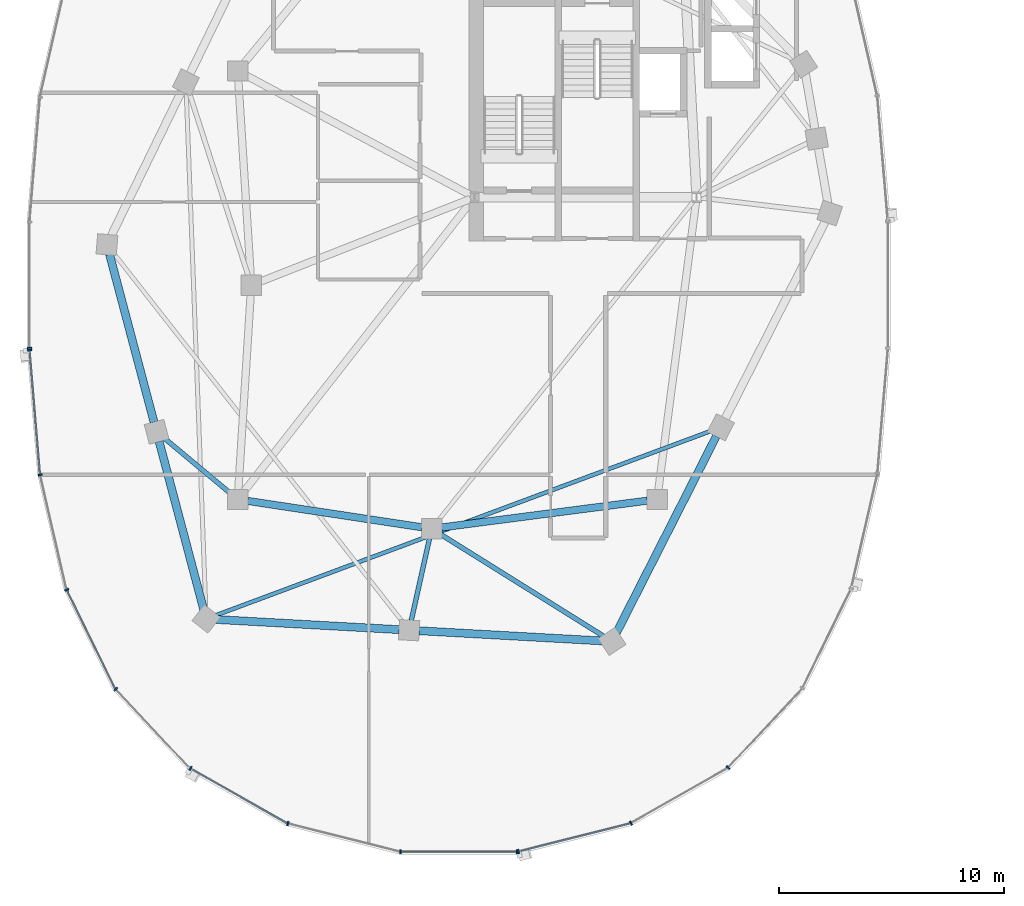
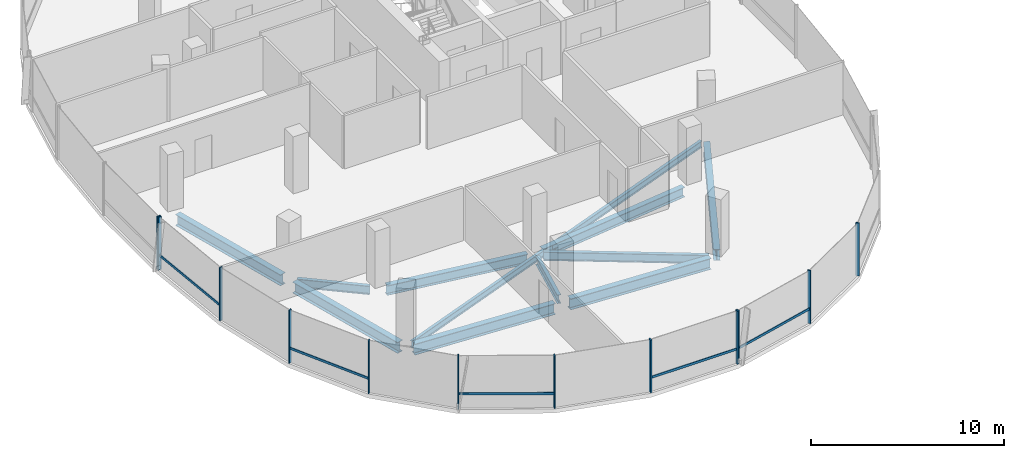
# One storey, part 3 of 25: 17 members, 11 beams, 3 elements without a shape of their own.
"""IFC4 building model written with IfcOpenShell, lengths in metres."""

from ifc_helpers import new_model, si_unit, direction, frame, origin, origin_2d, place, context, subcontext, project, spatial, rectangle, i_section, extrude, material, material_profile, profile_set, type_object, element, aggregate, save


model = new_model("IFC4")

# Units and contexts
model_context = context("Model", 3, precision=1e-05, world=origin(), true_north=direction((0.0, 1.0)))
body_context = subcontext(model_context, "Body", "Model", "MODEL_VIEW")
ifc_project = project(units=[si_unit("LENGTHUNIT", "METRE"), si_unit("AREAUNIT", "SQUARE_METRE"), si_unit("VOLUMEUNIT", "CUBIC_METRE"), si_unit("PLANEANGLEUNIT", "RADIAN"), si_unit("MASSUNIT", "GRAM", prefix="KILO"), si_unit("THERMODYNAMICTEMPERATUREUNIT", "KELVIN"), si_unit("POWERUNIT", "WATT")], contexts=[model_context])

# Site, building, storey
site_placement = place(None, origin())
site = spatial("IfcSite", under=ifc_project, at=site_placement, CompositionType="ELEMENT")
building_placement = place(site_placement, origin())
building = spatial("IfcBuilding", under=site, at=building_placement, Name="Cundina Bronze Exchange", CompositionType="ELEMENT")
storey_placement = place(building_placement, frame((0.0, 0.0, 202.60009765625)))
storey = spatial("IfcBuildingStorey", under=building, at=storey_placement, Name="L53", CompositionType="ELEMENT", Elevation=202.60009765625)

# Beams
ifc_material_1 = material(Name="Steel ASTM A992 Grade 50", Category="steel")
ifc_material_profile_1 = material_profile(ifc_material_1, i_section(OverallWidth=0.2119140625, OverallDepth=0.5439453125, WebThickness=0.01318359375, FlangeThickness=0.021240234375, FilletRadius=0.013916015625, at=origin_2d()), Name="W21X83", Category="steel")
ifc_profile_set_1 = profile_set([ifc_material_profile_1], Name="Steel ASTM A992 Grade 50")
beam_type_1 = type_object("IfcBeamType", Name="BM-FLR-W21A", PredefinedType="BEAM", material=ifc_profile_set_1)
beam_1_placement = place(storey_placement, frame((-42.136474609375, -9.219482421875, -0.531982421875), z_axis=(-0.768247540987, 0.640152884683, 0.0), x_axis=(-0.640152884683, -0.768247540987, 0.0)))
element("IfcBeam", 1, at=beam_1_placement, inside=storey, type_object=beam_type_1, Name="L53 Leg W Radial Floor Beam 09", PredefinedType="BEAM", context=body_context, shape_type="SweptSolid", body=[
    extrude(i_section(OverallWidth=0.2119140625, OverallDepth=0.5439453125, WebThickness=0.01318359375, FlangeThickness=0.021240234375, FilletRadius=0.013916015625, at=origin_2d()), origin(), (0.0, 0.0, 1.0), 3.81005859375),
])
beam_2_placement = place(storey_placement, frame((-33.294921875, -11.2275390625, -0.531982421875), z_axis=(-0.216958151571, -0.976180905605, 0.0), x_axis=(0.976180905605, -0.216958151571, 0.0)))
element("IfcBeam", 2, at=beam_2_placement, inside=storey, type_object=beam_type_1, Name="L53 Leg W Radial Floor Beam 11", PredefinedType="BEAM", context=body_context, shape_type="SweptSolid", body=[
    extrude(i_section(OverallWidth=0.2119140625, OverallDepth=0.5439453125, WebThickness=0.01318359375, FlangeThickness=0.021240234375, FilletRadius=0.013916015625, at=origin_2d()), origin(), (0.0, 0.0, 1.0), 3.733642578125),
])
beam_3_placement = place(storey_placement, frame((-32.82861328125, -11.031982421875, -0.531982421875), z_axis=(0.847995098703, -0.530004068452, 0.0), x_axis=(0.530004068452, 0.847995098703, 0.0)))
element("IfcBeam", 3, at=beam_3_placement, inside=storey, type_object=beam_type_1, Name="L53 Leg W Radial Floor Beam 12", PredefinedType="BEAM", context=body_context, shape_type="SweptSolid", body=[
    extrude(i_section(OverallWidth=0.2119140625, OverallDepth=0.5439453125, WebThickness=0.01318359375, FlangeThickness=0.021240234375, FilletRadius=0.013916015625, at=origin_2d()), origin(), (0.0, 0.0, 1.0), 8.55810546875),
])
ifc_material_profile_2 = material_profile(ifc_material_1, i_section(OverallWidth=0.178955078125, OverallDepth=0.409912109375, WebThickness=0.0087890625, FlangeThickness=0.014404296875, FilletRadius=0.010986328125, at=origin_2d()), Name="W16X45", Category="steel")
ifc_profile_set_2 = profile_set([ifc_material_profile_2], Name="Steel ASTM A992 Grade 50")
beam_type_2 = type_object("IfcBeamType", Name="BM-JST-W16", PredefinedType="JOIST", material=ifc_profile_set_2)
beam_4_placement = place(storey_placement, frame((-42.78955078125, -14.647216796875, -0.465087890625), z_axis=(0.937127927239, 0.348986028358, 0.0), x_axis=(-0.348986028358, 0.937127927239, 0.0)))
element("IfcBeam", 4, at=beam_4_placement, inside=storey, type_object=beam_type_2, Name="L53 Leg W Lobe Floor Joist 10-13", PredefinedType="JOIST", context=body_context, shape_type="SweptSolid", body=[
    extrude(i_section(OverallWidth=0.178955078125, OverallDepth=0.409912109375, WebThickness=0.0087890625, FlangeThickness=0.014404296875, FilletRadius=0.010986328125, at=origin_2d()), origin(), (0.0, 0.0, 1.0), 23.48046875),
])
ifc_material_profile_3 = material_profile(ifc_material_1, i_section(OverallWidth=0.324951171875, OverallDepth=0.615966796875, WebThickness=0.013916015625, FlangeThickness=0.021484375, FilletRadius=0.01611328125, at=origin_2d()), Name="W24X117", Category="steel")
ifc_profile_set_3 = profile_set([ifc_material_profile_3], Name="Steel ASTM A992 Grade 50")
beam_type_3 = type_object("IfcBeamType", Name="BM-RING-W24", PredefinedType="USERDEFINED", material=ifc_profile_set_3)
beam_5_placement = place(storey_placement, frame((-41.366943359375, -9.5654296875, -0.568115234375), z_axis=(0.988764903598, -0.149478979839, 0.0), x_axis=(0.149478979839, 0.988764903598, 0.0)))
element("IfcBeam", 5, at=beam_5_placement, inside=storey, type_object=beam_type_3, Name="L53 W Inner Structural Ring Girder 05", ObjectType="GIRDER", PredefinedType="USERDEFINED", context=body_context, shape_type="SweptSolid", body=[
    extrude(i_section(OverallWidth=0.324951171875, OverallDepth=0.615966796875, WebThickness=0.013916015625, FlangeThickness=0.021484375, FilletRadius=0.01611328125, at=origin_2d()), origin(), (0.0, 0.0, 1.0), 7.82177734375),
])
beam_6_placement = place(storey_placement, frame((-32.765625, -10.743408203125, -0.568115234375), z_axis=(0.991656498582, 0.128908451316, 0.0), x_axis=(-0.128908451316, 0.991656498582, 0.0)))
element("IfcBeam", 6, at=beam_6_placement, inside=storey, type_object=beam_type_3, Name="L53 W Inner Structural Ring Girder 06", ObjectType="GIRDER", PredefinedType="USERDEFINED", context=body_context, shape_type="SweptSolid", body=[
    extrude(i_section(OverallWidth=0.324951171875, OverallDepth=0.615966796875, WebThickness=0.013916015625, FlangeThickness=0.021484375, FilletRadius=0.01611328125, at=origin_2d()), origin(), (0.0, 0.0, 1.0), 9.208251953125),
])
ifc_material_profile_4 = material_profile(ifc_material_1, i_section(OverallWidth=0.35498046875, OverallDepth=0.695068359375, WebThickness=0.015380859375, FlangeThickness=0.02490234375, FilletRadius=0.01806640625, at=origin_2d()), Name="W27X146", Category="steel")
ifc_profile_set_4 = profile_set([ifc_material_profile_4], Name="Steel ASTM A992 Grade 50")
beam_type_4 = type_object("IfcBeamType", Name="BM-RING-W27", PredefinedType="USERDEFINED", material=ifc_profile_set_4)
for number, where, z_axis, x_axis, name in (
    (7, (-47.48779296875, 1.376708984375, -0.607666015625), (0.256211934474, -0.966620631185, 0.0), (0.966620631185, 0.256211934474, 0.0), "L53 W Perimeter Ring Girder 08"),
    (8, (-45.287841796875, -6.92333984375, -0.607666015625), (0.256211934474, -0.966620631185, 0.0), (0.966620631185, 0.256211934474, 0.0), "L53 W Perimeter Ring Girder 09"),
):
    element("IfcBeam", number, at=place(storey_placement, frame(where, z_axis=z_axis, x_axis=x_axis)), inside=storey, type_object=beam_type_4, Name=name, ObjectType="GIRDER", PredefinedType="USERDEFINED", context=body_context, shape_type="SweptSolid", body=[
        extrude(i_section(OverallWidth=0.35498046875, OverallDepth=0.695068359375, WebThickness=0.015380859375, FlangeThickness=0.02490234375, FilletRadius=0.01806640625, at=origin_2d()), origin(), (0.0, 0.0, 1.0), 7.710693359375),
    ])
for number, where, z_axis, x_axis, name in (
    (9, (-42.7626953125, -14.82421875, -0.607666015625), (0.998460353205, -0.055470019623, 0.0), (0.055470019623, 0.998460353205, 0.0), "L53 W Perimeter Ring Girder 10"),
    (10, (-33.7626953125, -15.32421875, -0.607666015625), (0.998460353205, -0.055470019623, 0.0), (0.055470019623, 0.998460353205, 0.0), "L53 W Perimeter Ring Girder 11"),
):
    element("IfcBeam", number, at=place(storey_placement, frame(where, z_axis=z_axis, x_axis=x_axis)), inside=storey, type_object=beam_type_4, Name=name, ObjectType="GIRDER", PredefinedType="USERDEFINED", context=body_context, shape_type="SweptSolid", body=[
        extrude(i_section(OverallWidth=0.35498046875, OverallDepth=0.695068359375, WebThickness=0.015380859375, FlangeThickness=0.02490234375, FilletRadius=0.01806640625, at=origin_2d()), origin(), (0.0, 0.0, 1.0), 8.137939453125),
    ])
beam_7_placement = place(storey_placement, frame((-25.001708984375, -15.409423828125, -0.607666015625), z_axis=(0.452846871434, 0.891588308039, 0.0), x_axis=(-0.891588308039, 0.452846871434, 0.0)))
element("IfcBeam", 11, at=beam_7_placement, inside=storey, type_object=beam_type_4, Name="L53 W Perimeter Ring Girder 12", ObjectType="GIRDER", PredefinedType="USERDEFINED", context=body_context, shape_type="SweptSolid", body=[
    extrude(i_section(OverallWidth=0.35498046875, OverallDepth=0.695068359375, WebThickness=0.015380859375, FlangeThickness=0.02490234375, FilletRadius=0.01806640625, at=origin_2d()), origin(), (0.0, 0.0, 1.0), 9.779052734375),
])

# Curtain wall, member
ifc_material_2 = material(Name="Anodised Bronze Aluminium 6063-T6", Category="aluminium")
curtain_wall_type = type_object("IfcCurtainWallType", Name="CWS-UPP-OFF", PredefinedType="NOTDEFINED", material=ifc_material_2)
curtain_wall_1_placement = place(storey_placement, origin())
curtain_wall_1 = element("IfcCurtainWall", 12, at=curtain_wall_1_placement, inside=storey, type_object=curtain_wall_type, Name="L53 CW-05 Curtain Wall Run CWR-L53-W2", PredefinedType="NOTDEFINED")
ifc_material_profile_5 = material_profile(ifc_material_2, rectangle(XDim=0.070068359375, YDim=0.18994140625, at=origin_2d()), Name="AL70X190", Category="aluminium")
ifc_profile_set_5 = profile_set([ifc_material_profile_5], Name="Anodised Bronze Aluminium 6063-T6")
member_type_1 = type_object("IfcMemberType", Name="CWM-MUL-190", PredefinedType="MULLION", material=ifc_profile_set_5)
member_1_placement = place(storey_placement, frame((-51.033935546875, -2.794921875, 0.0), z_axis=(0.0, 0.0, 1.0), x_axis=(0.0, -1.0, 0.0)))
member_1 = element("IfcMember", 13, at=member_1_placement, type_object=member_type_1, Name="CW-05 End Mullion", PredefinedType="MULLION", context=body_context, shape_type="SweptSolid", body=[
    extrude(rectangle(XDim=0.070068359375, YDim=0.18994140625, at=origin_2d()), origin(), (0.0, 0.0, 1.0), 3.33984375),
])
aggregate(curtain_wall_1, [member_1])

# Curtain wall, members
curtain_wall_2_placement = place(storey_placement, origin())
curtain_wall_2 = element("IfcCurtainWall", 14, at=curtain_wall_2_placement, inside=storey, type_object=curtain_wall_type, Name="L53 CW-05 Curtain Wall Run CWR-L53-W3", PredefinedType="NOTDEFINED")
member_2_placement = place(storey_placement, frame((-51.0302734375, -2.88330078125, 0.0), z_axis=(0.0, 0.0, 1.0), x_axis=(0.083677843332, -0.99649285925, 0.0)))
member_2 = element("IfcMember", 15, at=member_2_placement, type_object=member_type_1, Name="CW-05 Mullion 1", PredefinedType="MULLION", context=body_context, shape_type="SweptSolid", body=[
    extrude(rectangle(XDim=0.070068359375, YDim=0.18994140625, at=origin_2d()), origin(), (0.0, 0.0, 1.0), 3.33984375),
])
member_3_placement = place(storey_placement, frame((-50.56005859375, -8.4111328125, 0.0), z_axis=(0.0, 0.0, 1.0), x_axis=(0.223250116011, -0.974761194191, 0.0)))
member_3 = element("IfcMember", 16, at=member_3_placement, type_object=member_type_1, Name="CW-05 Mullion 2", PredefinedType="MULLION", context=body_context, shape_type="SweptSolid", body=[
    extrude(rectangle(XDim=0.070068359375, YDim=0.18994140625, at=origin_2d()), origin(), (0.0, 0.0, 1.0), 3.33984375),
])
member_4_placement = place(storey_placement, frame((-49.38427734375, -13.50732421875, 0.0), z_axis=(0.0, 0.0, 1.0), x_axis=(0.440566004113, -0.897720221461, 0.0)))
member_4 = element("IfcMember", 17, at=member_4_placement, type_object=member_type_1, Name="CW-05 Mullion 3", PredefinedType="MULLION", context=body_context, shape_type="SweptSolid", body=[
    extrude(rectangle(XDim=0.070068359375, YDim=0.18994140625, at=origin_2d()), origin(), (0.0, 0.0, 1.0), 3.33984375),
])
member_5_placement = place(storey_placement, frame((-47.209716796875, -17.91796875, 0.0), z_axis=(0.0, 0.0, 1.0), x_axis=(0.684292606175, -0.729207535023, 0.0)))
member_5 = element("IfcMember", 18, at=member_5_placement, type_object=member_type_1, Name="CW-05 Mullion 4", PredefinedType="MULLION", context=body_context, shape_type="SweptSolid", body=[
    extrude(rectangle(XDim=0.070068359375, YDim=0.18994140625, at=origin_2d()), origin(), (0.0, 0.0, 1.0), 3.33984375),
])
member_6_placement = place(storey_placement, frame((-43.899658203125, -21.43115234375, 0.0), z_axis=(0.0, 0.0, 1.0), x_axis=(0.86958112538, -0.493790103568, 0.0)))
member_6 = element("IfcMember", 19, at=member_6_placement, type_object=member_type_1, Name="CW-05 Mullion 5", PredefinedType="MULLION", context=body_context, shape_type="SweptSolid", body=[
    extrude(rectangle(XDim=0.070068359375, YDim=0.18994140625, at=origin_2d()), origin(), (0.0, 0.0, 1.0), 3.33984375),
])
member_7_placement = place(storey_placement, frame((-39.577392578125, -23.87548828125, 0.0), z_axis=(0.0, 0.0, 1.0), x_axis=(0.969744325821, -0.244122802168, 0.0)))
member_7 = element("IfcMember", 20, at=member_7_placement, type_object=member_type_1, Name="CW-05 Mullion 6", PredefinedType="MULLION", context=body_context, shape_type="SweptSolid", body=[
    extrude(rectangle(XDim=0.070068359375, YDim=0.18994140625, at=origin_2d()), origin(), (0.0, 0.0, 1.0), 3.33984375),
])
member_8_placement = place(storey_placement, frame((-34.580078125, -25.125, 0.0), z_axis=(0.0, 0.0, 1.0), x_axis=(1.0, 0.0, 0.0)))
member_8 = element("IfcMember", 21, at=member_8_placement, type_object=member_type_1, Name="CW-05 Mullion 7", PredefinedType="MULLION", context=body_context, shape_type="SweptSolid", body=[
    extrude(rectangle(XDim=0.070068359375, YDim=0.18994140625, at=origin_2d()), origin(), (0.0, 0.0, 1.0), 3.33984375),
])
member_9_placement = place(storey_placement, frame((-29.419921875, -25.125, 0.0), z_axis=(0.0, 0.0, 1.0), x_axis=(1.0, 0.0, 0.0)))
member_9 = element("IfcMember", 22, at=member_9_placement, type_object=member_type_1, Name="CW-05 End Mullion", PredefinedType="MULLION", context=body_context, shape_type="SweptSolid", body=[
    extrude(rectangle(XDim=0.070068359375, YDim=0.18994140625, at=origin_2d()), origin(), (0.0, 0.0, 1.0), 3.33984375),
])

curtain_wall_3_placement = place(storey_placement, origin())
curtain_wall_3 = element("IfcCurtainWall", 23, at=curtain_wall_3_placement, inside=storey, type_object=curtain_wall_type, Name="L53 CW-05 Curtain Wall Run CWR-L53-W4", PredefinedType="NOTDEFINED")
member_10_placement = place(storey_placement, frame((-29.3515625, -25.116455078125, 0.0), z_axis=(0.0, 0.0, 1.0), x_axis=(0.969744325821, 0.244122802168, 0.0)))
member_10 = element("IfcMember", 24, at=member_10_placement, type_object=member_type_1, Name="CW-05 Mullion 1", PredefinedType="MULLION", context=body_context, shape_type="SweptSolid", body=[
    extrude(rectangle(XDim=0.070068359375, YDim=0.18994140625, at=origin_2d()), origin(), (0.0, 0.0, 1.0), 3.33984375),
])
member_11_placement = place(storey_placement, frame((-24.361083984375, -23.850830078125, 0.0), z_axis=(0.0, 0.0, 1.0), x_axis=(0.86958112538, 0.493790103568, 0.0)))
member_11 = element("IfcMember", 25, at=member_11_placement, type_object=member_type_1, Name="CW-05 Mullion 2", PredefinedType="MULLION", context=body_context, shape_type="SweptSolid", body=[
    extrude(rectangle(XDim=0.070068359375, YDim=0.18994140625, at=origin_2d()), origin(), (0.0, 0.0, 1.0), 3.33984375),
])
member_12_placement = place(storey_placement, frame((-20.05126953125, -21.392578125, 0.0), z_axis=(0.0, 0.0, 1.0), x_axis=(0.684292606175, 0.729207535023, 0.0)))
member_12 = element("IfcMember", 26, at=member_12_placement, type_object=member_type_1, Name="CW-05 Mullion 3", PredefinedType="MULLION", context=body_context, shape_type="SweptSolid", body=[
    extrude(rectangle(XDim=0.070068359375, YDim=0.18994140625, at=origin_2d()), origin(), (0.0, 0.0, 1.0), 3.33984375),
])

# Member
ifc_material_profile_6 = material_profile(ifc_material_2, rectangle(XDim=0.06494140625, YDim=0.14990234375, at=origin_2d()), Name="AL65X150", Category="aluminium")
ifc_profile_set_6 = profile_set([ifc_material_profile_6], Name="Anodised Bronze Aluminium 6063-T6")
member_type_2 = type_object("IfcMemberType", Name="CWM-TRN-150", PredefinedType="USERDEFINED", material=ifc_profile_set_6)
member_13_placement = place(storey_placement, frame((-51.027099609375, -2.921630859375, 0.919921875), z_axis=(0.083740331158, -0.996487610027, 0.0), x_axis=(0.996487610027, 0.083740331158, 0.0)))
member_13 = element("IfcMember", 27, at=member_13_placement, type_object=member_type_2, Name="CW-05 Spandrel Transom 1", ObjectType="TRANSOM", PredefinedType="USERDEFINED", context=body_context, shape_type="SweptSolid", body=[
    extrude(rectangle(XDim=0.06494140625, YDim=0.14990234375, at=origin_2d()), origin(), (0.0, 0.0, 1.0), 5.466552734375),
])

member_14_placement = place(storey_placement, frame((-49.3671875, -13.5419921875, 0.919921875), z_axis=(0.440483110889, -0.897760897467, 0.0), x_axis=(0.897760897467, 0.440483110889, 0.0)))
member_14 = element("IfcMember", 28, at=member_14_placement, type_object=member_type_2, Name="CW-05 Spandrel Transom 3", ObjectType="TRANSOM", PredefinedType="USERDEFINED", context=body_context, shape_type="SweptSolid", body=[
    extrude(rectangle(XDim=0.06494140625, YDim=0.14990234375, at=origin_2d()), origin(), (0.0, 0.0, 1.0), 4.855224609375),
])

member_15_placement = place(storey_placement, frame((-43.8662109375, -21.4501953125, 0.919921875), z_axis=(0.869573748083, -0.493803095013, 0.0), x_axis=(0.493803095013, 0.869573748083, 0.0)))
member_15 = element("IfcMember", 29, at=member_15_placement, type_object=member_type_2, Name="CW-05 Spandrel Transom 5", ObjectType="TRANSOM", PredefinedType="USERDEFINED", context=body_context, shape_type="SweptSolid", body=[
    extrude(rectangle(XDim=0.06494140625, YDim=0.14990234375, at=origin_2d()), origin(), (0.0, 0.0, 1.0), 4.900146484375),
])

member_16_placement = place(storey_placement, frame((-34.54150390625, -25.125, 0.919921875), z_axis=(1.0, 0.0, 0.0), x_axis=(0.0, 1.0, 0.0)))
member_16 = element("IfcMember", 30, at=member_16_placement, type_object=member_type_2, Name="CW-05 Spandrel Transom 7", ObjectType="TRANSOM", PredefinedType="USERDEFINED", context=body_context, shape_type="SweptSolid", body=[
    extrude(rectangle(XDim=0.06494140625, YDim=0.14990234375, at=origin_2d()), origin(), (0.0, 0.0, 1.0), 5.0830078125),
])

aggregate(curtain_wall_2, [member_2, member_13, member_3, member_4, member_14, member_5, member_6, member_15, member_7, member_8, member_9, member_16])

member_17_placement = place(storey_placement, frame((-29.314208984375, -25.107177734375, 0.919921875), z_axis=(0.969725738797, 0.244196624699, 0.0), x_axis=(-0.244196624699, 0.969725738797, 0.0)))
member_17 = element("IfcMember", 31, at=member_17_placement, type_object=member_type_2, Name="CW-05 Spandrel Transom 1", ObjectType="TRANSOM", PredefinedType="USERDEFINED", context=body_context, shape_type="SweptSolid", body=[
    extrude(rectangle(XDim=0.06494140625, YDim=0.14990234375, at=origin_2d()), origin(), (0.0, 0.0, 1.0), 5.082763671875),
])

aggregate(curtain_wall_3, [member_10, member_17, member_11, member_12])

save(model, "model.ifc")
